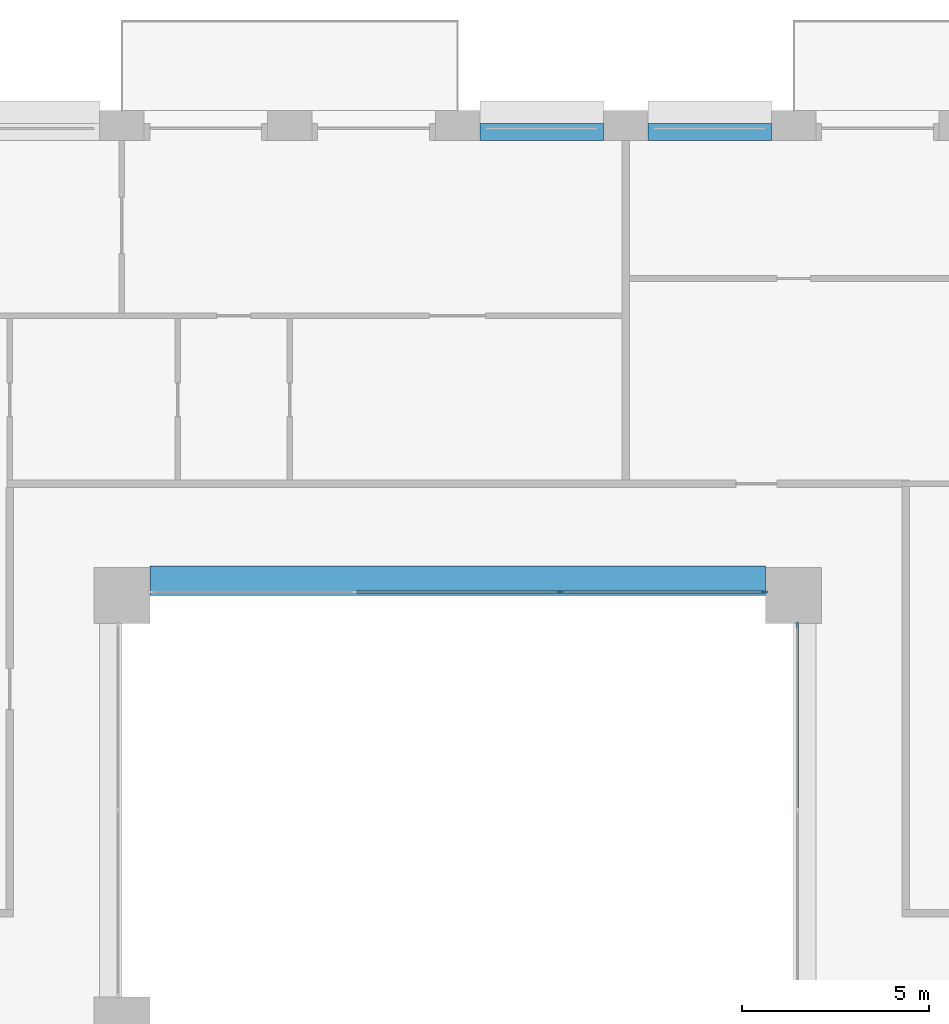
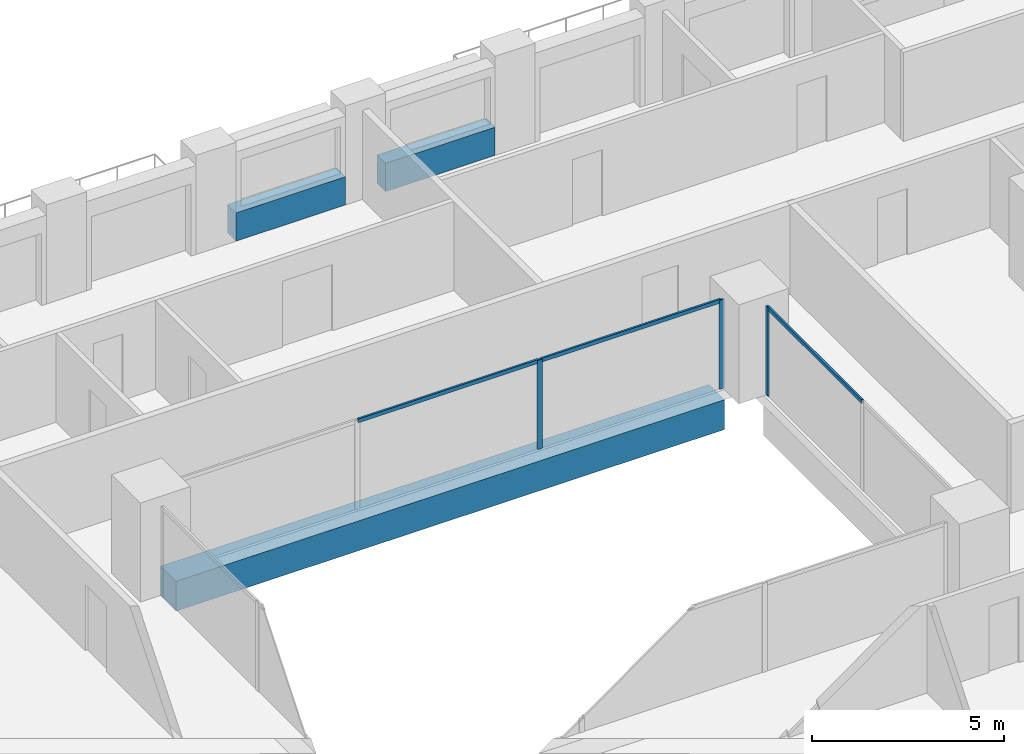
# One storey, part 7 of 20: 6 members, 3 beams, 2 elements without a shape of their own.
"""IFC4 building model written with IfcOpenShell, lengths in metres."""

from ifc_helpers import new_model, si_unit, direction, frame, origin, origin_2d, place, context, subcontext, project, spatial, rectangle, extrude, material, layer, layer_set, material_profile, profile_set, type_object, element, aggregate, save


model = new_model("IFC4")

# Units and contexts
model_context = context("Model", 3, precision=1e-05, world=origin(), true_north=direction((0.0, 1.0)))
body_context = subcontext(model_context, "Body", "Model", "MODEL_VIEW")
ifc_project = project(units=[si_unit("LENGTHUNIT", "METRE"), si_unit("AREAUNIT", "SQUARE_METRE"), si_unit("VOLUMEUNIT", "CUBIC_METRE"), si_unit("PLANEANGLEUNIT", "RADIAN"), si_unit("MASSUNIT", "GRAM", prefix="KILO")], contexts=[model_context])

# Site, building, storey
site_placement = place(None, origin())
site = spatial("IfcSite", under=ifc_project, at=site_placement, CompositionType="ELEMENT")
building_placement = place(site_placement, origin())
building = spatial("IfcBuilding", under=site, at=building_placement, Name="Brigalow Station Residences", CompositionType="ELEMENT")
storey_placement = place(building_placement, frame((0.0, 0.0, 60.449951171875)))
storey = spatial("IfcBuildingStorey", under=building, at=storey_placement, Name="L17", CompositionType="ELEMENT", Elevation=60.449951171875)

# Beam
ifc_material_1 = material(Name="Concrete C65", Category="concrete")
ifc_material_profile_1 = material_profile(ifc_material_1, rectangle(XDim=0.800048828125, YDim=0.949951171875, at=origin_2d()), Name="RC800x950")
ifc_profile_set_1 = profile_set([ifc_material_profile_1], Name="Concrete C65")
beam_type_1 = type_object("IfcBeamType", Name="ATRIUM EDGE GIRDER OVER 13.5 M SPAN 800x950 C65", PredefinedType="BEAM", material=ifc_profile_set_1)
beam_placement = place(storey_placement, frame((27.75, 35.89990234375, -0.794921875), z_axis=(1.0, 0.0, 0.0), x_axis=(0.0, 1.0, 0.0)))
element("IfcBeam", 1, at=beam_placement, inside=storey, type_object=beam_type_1, Name="ATRIUM EDGE GIRDER D L17", PredefinedType="BEAM", context=body_context, shape_type="SweptSolid", body=[
    extrude(rectangle(XDim=0.800048828125, YDim=0.949951171875, at=origin_2d()), origin(), (0.0, 0.0, 1.0), 16.5),
])

# Curtain wall, member
ifc_material_2 = material(Name="Aluminium", Category="aluminium")
ifc_layer = layer(ifc_material_2, 0.14990234375)
ifc_layer_set = layer_set([ifc_layer], Name="ATRIUM FIRE-RATED GLAZING CURTAIN WALL")
curtain_wall_type = type_object("IfcCurtainWallType", Name="ATRIUM FIRE-RATED GLAZING CURTAIN WALL", PredefinedType="NOTDEFINED", material=ifc_layer_set)
curtain_wall_1_placement = place(storey_placement, origin())
curtain_wall_1 = element("IfcCurtainWall", 2, at=curtain_wall_1_placement, inside=storey, type_object=curtain_wall_type, Name="L17/cw/atrium-E", PredefinedType="NOTDEFINED")
ifc_material_3 = material(Name="Aluminium", Category="aluminium")
ifc_material_profile_2 = material_profile(ifc_material_3, rectangle(XDim=0.06005859375, YDim=0.14990234375, at=origin_2d()), Name="ATRIUM FIRE-RATED GLAZING MULLION 60x150")
ifc_profile_set_2 = profile_set([ifc_material_profile_2], Name="Aluminium")
member_type_1 = type_object("IfcMemberType", Name="ATRIUM FIRE-RATED GLAZING MULLION 60x150", PredefinedType="MULLION", material=ifc_profile_set_2)
member_1_placement = place(storey_placement, frame((45.10009765625, 34.719970703125, 0.0), z_axis=(0.0, 0.0, 1.0), x_axis=(-1.0, 0.0, 0.0)))
member_1 = element("IfcMember", 3, at=member_1_placement, type_object=member_type_1, Name="L17/cw/atrium-E/M02", PredefinedType="MULLION", context=body_context, shape_type="SweptSolid", body=[
    extrude(rectangle(XDim=0.06005859375, YDim=0.14990234375, at=origin_2d()), origin(), (0.0, 0.0, 1.0), 2.830078125),
])

# Curtain wall, members
curtain_wall_2_placement = place(storey_placement, origin())
curtain_wall_2 = element("IfcCurtainWall", 4, at=curtain_wall_2_placement, inside=storey, type_object=curtain_wall_type, Name="L17/cw/atrium-N", PredefinedType="NOTDEFINED")
member_2_placement = place(storey_placement, frame((44.219970703125, 35.60009765625, 0.0), z_axis=(0.0, 0.0, 1.0), x_axis=(0.0, -1.0, 0.0)))
member_2 = element("IfcMember", 5, at=member_2_placement, type_object=member_type_1, Name="L17/cw/atrium-N/M00", PredefinedType="MULLION", context=body_context, shape_type="SweptSolid", body=[
    extrude(rectangle(XDim=0.06005859375, YDim=0.14990234375, at=origin_2d()), origin(), (0.0, 0.0, 1.0), 2.830078125),
])
member_3_placement = place(storey_placement, frame((38.75, 35.60009765625, 0.0), z_axis=(0.0, 0.0, 1.0), x_axis=(0.0, -1.0, 0.0)))
member_3 = element("IfcMember", 6, at=member_3_placement, type_object=member_type_1, Name="L17/cw/atrium-N/M01", PredefinedType="MULLION", context=body_context, shape_type="SweptSolid", body=[
    extrude(rectangle(XDim=0.06005859375, YDim=0.14990234375, at=origin_2d()), origin(), (0.0, 0.0, 1.0), 2.830078125),
])

# Member
ifc_material_4 = material(Name="Aluminium", Category="aluminium")
ifc_material_profile_3 = material_profile(ifc_material_4, rectangle(XDim=0.06005859375, YDim=0.1201171875, at=origin_2d()), Name="ATRIUM FIRE-RATED GLAZING TRANSOM 60x120")
ifc_profile_set_3 = profile_set([ifc_material_profile_3], Name="Aluminium")
member_type_2 = type_object("IfcMemberType", Name="ATRIUM FIRE-RATED GLAZING TRANSOM 60x120", PredefinedType="USERDEFINED", material=ifc_profile_set_3)
member_4_placement = place(storey_placement, frame((45.10009765625, 29.780029296875, 2.800048828125), z_axis=(0.0, 1.0, 0.0), x_axis=(-1.0, 0.0, 0.0)))
member_4 = element("IfcMember", 7, at=member_4_placement, type_object=member_type_2, Name="L17/cw/atrium-E/T01-00", ObjectType="TRANSOM", PredefinedType="USERDEFINED", context=body_context, shape_type="SweptSolid", body=[
    extrude(rectangle(XDim=0.06005859375, YDim=0.1201171875, at=origin_2d()), origin(), (0.0, 0.0, 1.0), 4.909912109375),
])

aggregate(curtain_wall_1, [member_1, member_4])

member_5_placement = place(storey_placement, frame((44.18994140625, 35.60009765625, 2.800048828125), z_axis=(-1.0, 0.0, 0.0), x_axis=(0.0, -1.0, 0.0)))
member_5 = element("IfcMember", 8, at=member_5_placement, type_object=member_type_2, Name="L17/cw/atrium-N/T00-00", ObjectType="TRANSOM", PredefinedType="USERDEFINED", context=body_context, shape_type="SweptSolid", body=[
    extrude(rectangle(XDim=0.06005859375, YDim=0.1201171875, at=origin_2d()), origin(), (0.0, 0.0, 1.0), 5.409912109375),
])

member_6_placement = place(storey_placement, frame((38.719970703125, 35.60009765625, 2.800048828125), z_axis=(-1.0, 0.0, 0.0), x_axis=(0.0, -1.0, 0.0)))
member_6 = element("IfcMember", 9, at=member_6_placement, type_object=member_type_2, Name="L17/cw/atrium-N/T01-00", ObjectType="TRANSOM", PredefinedType="USERDEFINED", context=body_context, shape_type="SweptSolid", body=[
    extrude(rectangle(XDim=0.06005859375, YDim=0.1201171875, at=origin_2d()), origin(), (0.0, 0.0, 1.0), 5.43994140625),
])

aggregate(curtain_wall_2, [member_2, member_3, member_5, member_6])

# Beams
ifc_material_5 = material(Name="Concrete C65", Category="concrete")
ifc_material_profile_4 = material_profile(ifc_material_5, rectangle(XDim=0.449951171875, YDim=0.89990234375, at=origin_2d()), Name="RC450x900")
ifc_profile_set_4 = profile_set([ifc_material_profile_4], Name="Concrete C65")
beam_type_2 = type_object("IfcBeamType", Name="SPANDREL BEAM 450x900 C65", PredefinedType="SPANDREL", material=ifc_profile_set_4)
for number, where, z_axis, x_axis, name in (
    (10, (44.39990234375, 47.925048828125, 0.449951171875), (-1.0, 0.0, 0.0), (0.0, -1.0, 0.0), "L17/spandrel/W-L17-31"),
    (11, (39.89990234375, 47.925048828125, 0.449951171875), (-1.0, 0.0, 0.0), (0.0, -1.0, 0.0), "L17/spandrel/W-L17-32"),
):
    element("IfcBeam", number, at=place(storey_placement, frame(where, z_axis=z_axis, x_axis=x_axis)), inside=storey, type_object=beam_type_2, Name=name, PredefinedType="SPANDREL", context=body_context, shape_type="SweptSolid", body=[
        extrude(rectangle(XDim=0.449951171875, YDim=0.89990234375, at=origin_2d()), origin(), (0.0, 0.0, 1.0), 3.2998046875),
    ])

save(model, "model.ifc")
